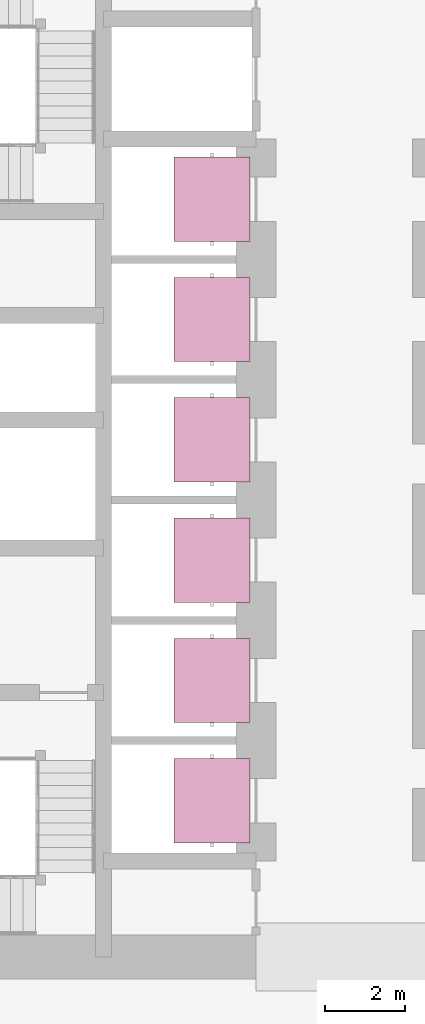
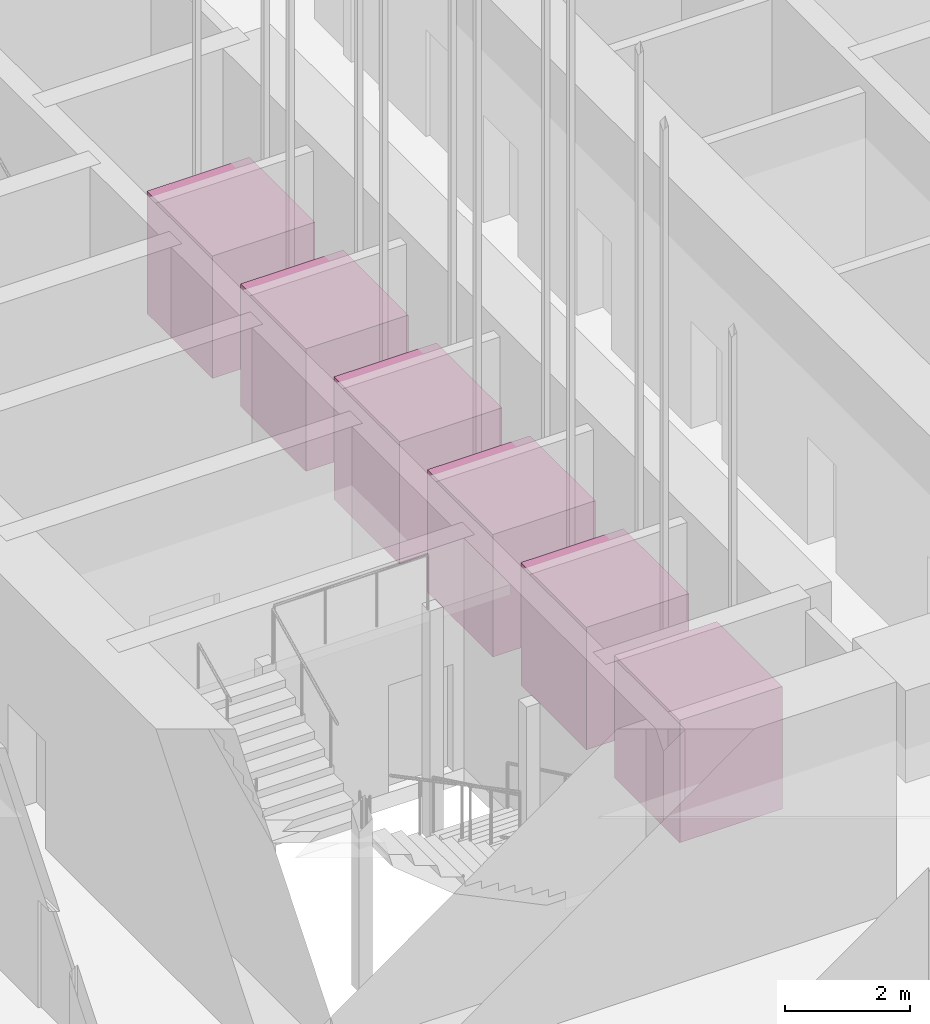
# One storey, part 27 of 39: 6 transport elements.
"""IFC4 building model written with IfcOpenShell, lengths in metres."""

from ifc_helpers import new_model, si_unit, direction, frame, origin, origin_2d, place, context, subcontext, project, spatial, rectangle, extrude, material, type_object, element, save


model = new_model("IFC4")

# Units and contexts
model_context = context("Model", 3, precision=1e-05, world=origin(), true_north=direction((0.0, 1.0)))
body_context = subcontext(model_context, "Body", "Model", "MODEL_VIEW")
ifc_project = project(units=[si_unit("LENGTHUNIT", "METRE"), si_unit("AREAUNIT", "SQUARE_METRE"), si_unit("VOLUMEUNIT", "CUBIC_METRE"), si_unit("PLANEANGLEUNIT", "RADIAN"), si_unit("MASSUNIT", "GRAM", prefix="KILO")], contexts=[model_context])

# Site, building, storey
site_placement = place(None, origin())
site = spatial("IfcSite", under=ifc_project, at=site_placement, CompositionType="ELEMENT")
building_placement = place(site_placement, origin())
building = spatial("IfcBuilding", under=site, at=building_placement, Name="Rekha Terrace Tower", CompositionType="ELEMENT")
storey_placement = place(building_placement, frame((0.0, 0.0, 245.60009765625)))
storey = spatial("IfcBuildingStorey", under=building, at=storey_placement, Name="L62", CompositionType="ELEMENT", Elevation=245.60009765625)

# Transport elements
ifc_material = material(Name="Steel car with stainless steel lining", Category="steel")
transport_element_type = type_object("IfcTransportElementType", Name="LP1 1600 kg passenger lift", PredefinedType="ELEVATOR", material=ifc_material)
for number, where, z_axis, x_axis, name in (
    (1, (34.5, 24.89990234375, 0.0), (0.0, 0.0, 1.0), (1.0, 0.0, 0.0), "Lift D1"),
    (2, (34.5, 27.89990234375, 0.0), (0.0, 0.0, 1.0), (1.0, 0.0, 0.0), "Lift D2"),
    (3, (34.5, 30.89990234375, 0.0), (0.0, 0.0, 1.0), (1.0, 0.0, 0.0), "Lift D3"),
    (4, (34.5, 33.89990234375, 0.0), (0.0, 0.0, 1.0), (1.0, 0.0, 0.0), "Lift D4"),
    (5, (34.5, 36.89990234375, 0.0), (0.0, 0.0, 1.0), (1.0, 0.0, 0.0), "Lift D5"),
    (6, (34.5, 39.89990234375, 0.0), (0.0, 0.0, 1.0), (1.0, 0.0, 0.0), "Lift D6"),
):
    element("IfcTransportElement", number, at=place(storey_placement, frame(where, z_axis=z_axis, x_axis=x_axis)), inside=storey, type_object=transport_element_type, Name=name, PredefinedType="ELEVATOR", context=body_context, shape_type="SweptSolid", body=[
        extrude(rectangle(XDim=1.89990234375, YDim=2.10009765625, at=origin_2d()), origin(), (0.0, 0.0, 1.0), 2.39990234375),
    ])

save(model, "model.ifc")
